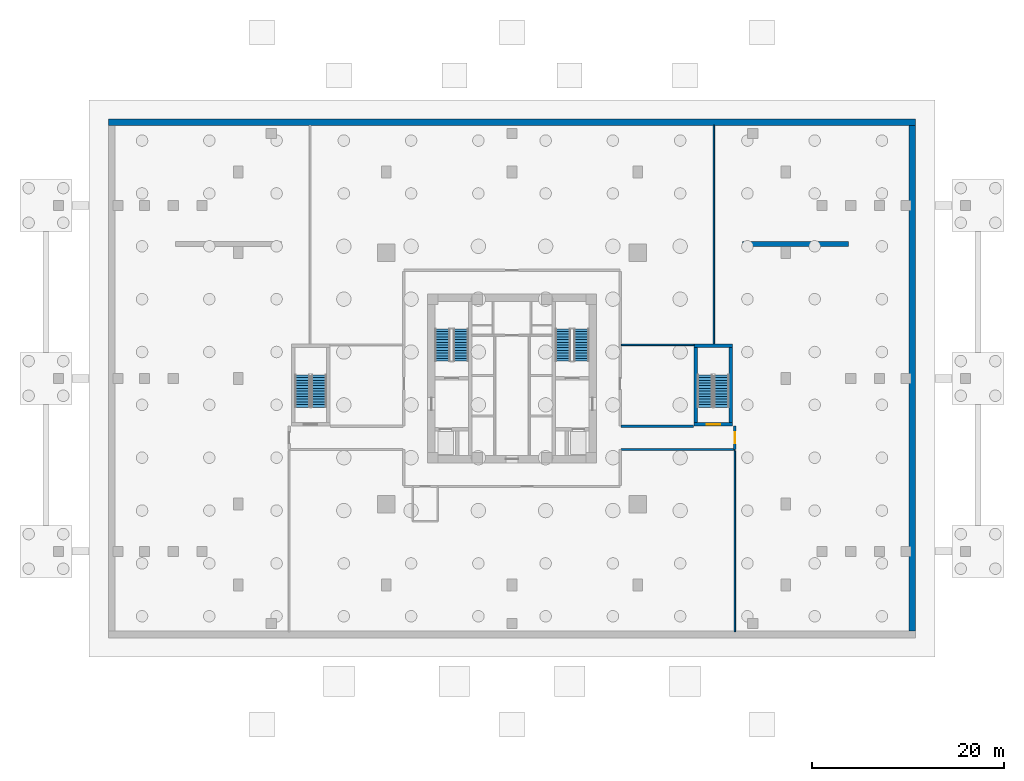
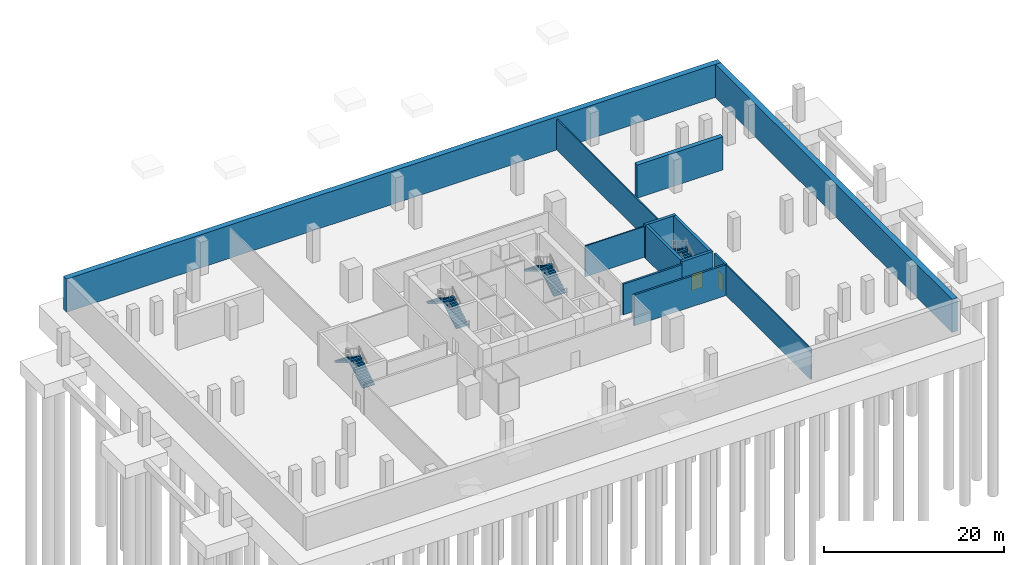
# One storey, part 5 of 8: 13 walls, 8 stair flights, 2 doors, 2 openings, 4 elements without a shape of their own.
"""IFC4 building model written with IfcOpenShell, lengths in metres."""

from ifc_helpers import new_model, si_unit, direction, frame, frame_2d, origin, place, context, subcontext, project, spatial, polyline, rectangle, outline, extrude, source, transform, mapped, material, layer, layer_set, type_object, element, fill, aggregate, save


model = new_model("IFC4")

# Units and contexts
model_context = context("Model", 3, precision=1e-05, world=origin(), true_north=direction((0.0, 1.0)))
body_context = subcontext(model_context, "Body", "Model", "MODEL_VIEW")
ifc_project = project(units=[si_unit("LENGTHUNIT", "METRE"), si_unit("AREAUNIT", "SQUARE_METRE"), si_unit("VOLUMEUNIT", "CUBIC_METRE"), si_unit("PLANEANGLEUNIT", "RADIAN"), si_unit("MASSUNIT", "GRAM", prefix="KILO"), si_unit("THERMODYNAMICTEMPERATUREUNIT", "KELVIN")], contexts=[model_context])

# Site, building, storey
site_placement = place(None, origin())
site = spatial("IfcSite", under=ifc_project, at=site_placement, CompositionType="ELEMENT")
building_placement = place(site_placement, origin())
building = spatial("IfcBuilding", under=site, at=building_placement, Name="Kosmvard Interchange Tower", CompositionType="ELEMENT")
storey_placement = place(building_placement, frame((0.0, 0.0, -9.0)))
storey = spatial("IfcBuildingStorey", under=building, at=storey_placement, Name="B02", CompositionType="ELEMENT", Elevation=-9.0)

# Walls
ifc_material_1 = material(Name="Acoustic gypsum partition system")
ifc_layer_1 = layer(ifc_material_1, 0.14990234375, Name="Acoustic gypsum partition system")
ifc_layer_set_1 = layer_set([ifc_layer_1], Name="Acoustic gypsum partition system")
wall_type_1 = type_object("IfcWallType", Name="Acoustic Suite & Meeting Partition 150", PredefinedType="PARTITIONING", material=ifc_layer_set_1)
wall_1_placement = place(storey_placement, frame((23.199951171875, -26.364990234375, 0.0), z_axis=(0.0, 0.0, 1.0), x_axis=(0.0, 1.0, 0.0)))
element("IfcWall", 1, at=wall_1_placement, inside=storey, type_object=wall_type_1, Name="B02 Room Partition 03.1", PredefinedType="PARTITIONING", context=body_context, shape_type="SweptSolid", body=[
    extrude(rectangle(XDim=18.8349609375, YDim=0.14990234375, at=frame_2d((9.41748046875, 0.0))), origin(), (0.0, 0.0, 1.0), 4.179931640625),
])
wall_2_placement = place(storey_placement, frame((21.0, 3.56005859375, 0.0), z_axis=(0.0, 0.0, 1.0), x_axis=(0.0, 1.0, 0.0)))
element("IfcWall", 2, at=wall_2_placement, inside=storey, type_object=wall_type_1, Name="B02 Room Partition 04.1", PredefinedType="PARTITIONING", context=body_context, shape_type="SweptSolid", body=[
    extrude(rectangle(XDim=22.804931640625, YDim=0.14990234375, at=frame_2d((11.40234375, 0.0))), origin(), (0.0, 0.0, 1.0), 4.179931640625),
])
wall_3_placement = place(storey_placement, frame((11.3798828125, 3.5, 0.0), z_axis=(0.0, 0.0, 1.0), x_axis=(1.0, 0.0, 0.0)))
element("IfcWall", 3, at=wall_3_placement, inside=storey, type_object=wall_type_1, Name="B02 Room Partition 06.1", PredefinedType="PARTITIONING", context=body_context, shape_type="SweptSolid", body=[
    extrude(rectangle(XDim=7.580078125, YDim=0.14990234375, at=frame_2d((3.7900390625, 0.0))), origin(), (0.0, 0.0, 1.0), 4.179931640625),
])
ifc_material_2 = material(Name="Concrete C50/60", Category="concrete")
ifc_layer_2 = layer(ifc_material_2, 0.699951171875, Name="Concrete C50/60")
ifc_layer_set_2 = layer_set([ifc_layer_2], Name="Concrete C50/60")
wall_type_2 = type_object("IfcWallType", Name="Basement Perimeter Retaining Wall 700 C50/60", PredefinedType="USERDEFINED", material=ifc_layer_set_2)
wall_4_placement = place(storey_placement, frame((-42.0, 26.64990234375, 0.0), z_axis=(0.0, 0.0, 1.0), x_axis=(1.0, 0.0, 0.0)))
element("IfcWall", 4, at=wall_4_placement, inside=storey, type_object=wall_type_2, Name="B02 Basement Retaining Wall RW-N", ObjectType="RETAINING", PredefinedType="USERDEFINED", context=body_context, shape_type="SweptSolid", body=[
    extrude(rectangle(XDim=84.0, YDim=0.699951171875, at=frame_2d((42.0, 0.0))), origin(), (0.0, 0.0, 1.0), 4.5),
])
wall_5_placement = place(storey_placement, frame((41.64990234375, -26.300048828125, 0.0), z_axis=(0.0, 0.0, 1.0), x_axis=(0.0, 1.0, 0.0)))
element("IfcWall", 5, at=wall_5_placement, inside=storey, type_object=wall_type_2, Name="B02 Basement Retaining Wall RW-E", ObjectType="RETAINING", PredefinedType="USERDEFINED", context=body_context, shape_type="SweptSolid", body=[
    extrude(rectangle(XDim=52.60009765625, YDim=0.699951171875, at=frame_2d((26.300048828125, 0.0))), origin(), (0.0, 0.0, 1.0), 4.5),
])
ifc_layer_3 = layer(ifc_material_2, 0.550048828125, Name="Concrete C50/60")
ifc_layer_set_3 = layer_set([ifc_layer_3], Name="Concrete C50/60")
wall_type_3 = type_object("IfcWallType", Name="Basement Tank Retaining Wall 550 C50/60", PredefinedType="USERDEFINED", material=ifc_layer_set_3)
wall_6_placement = place(storey_placement, frame((24.0, 14.0, 0.0), z_axis=(0.0, 0.0, 1.0), x_axis=(1.0, 0.0, 0.0)))
element("IfcWall", 6, at=wall_6_placement, inside=storey, type_object=wall_type_3, Name="B02 Water Tank Retaining Wall 2", ObjectType="RETAINING", PredefinedType="USERDEFINED", context=body_context, shape_type="SweptSolid", body=[
    extrude(rectangle(XDim=11.0, YDim=0.550048828125, at=frame_2d((5.5, 0.0))), origin(), (0.0, 0.0, 1.0), 4.5),
])
ifc_material_3 = material(Name="Concrete blockwork masonry", Category="masonry")
ifc_layer_4 = layer(ifc_material_3, 0.25, Name="Concrete blockwork masonry")
ifc_layer_set_4 = layer_set([ifc_layer_4], Name="Concrete blockwork masonry")
wall_type_4 = type_object("IfcWallType", Name="Exit Passage & Firefighting Lobby Wall 250", PredefinedType="PARTITIONING", material=ifc_layer_set_4)
wall_7_placement = place(storey_placement, frame((11.35009765625, -7.39990234375, 0.0), z_axis=(0.0, 0.0, 1.0), x_axis=(1.0, 0.0, 0.0)))
element("IfcWall", 7, at=wall_7_placement, inside=storey, type_object=wall_type_4, Name="B02 Corridor Wall SES", PredefinedType="PARTITIONING", context=body_context, shape_type="SweptSolid", body=[
    extrude(rectangle(XDim=11.849853515625, YDim=0.25, at=frame_2d((5.9248046875, 0.0))), origin(), (0.0, 0.0, 1.0), 4.179931640625),
])
wall_8_placement = place(storey_placement, frame((11.35009765625, -4.9599609375, 0.0), z_axis=(0.0, 0.0, 1.0), x_axis=(1.0, 0.0, 0.0)))
element("IfcWall", 8, at=wall_8_placement, inside=storey, type_object=wall_type_4, Name="B02 Corridor Wall SEN", PredefinedType="PARTITIONING", context=body_context, shape_type="SweptSolid", body=[
    extrude(rectangle(XDim=7.5498046875, YDim=0.25, at=frame_2d((3.77490234375, 0.0))), origin(), (0.0, 0.0, 1.0), 4.179931640625),
])

# Wall, opening, door
wall_9_placement = place(storey_placement, frame((23.199951171875, -7.39990234375, 0.0), z_axis=(0.0, 0.0, 1.0), x_axis=(0.0, 1.0, 0.0)))
wall_9 = element("IfcWall", 9, at=wall_9_placement, inside=storey, type_object=wall_type_4, Name="B02 Corridor Wall SEE", PredefinedType="PARTITIONING", context=body_context, shape_type="SweptSolid", body=[
    extrude(rectangle(XDim=2.43994140625, YDim=0.25, at=frame_2d((1.219970703125, 0.0))), origin(), (0.0, 0.0, 1.0), 4.179931640625),
])
opening_1_placement = place(wall_9_placement, frame((0.64501953125, 0.0, 0.0)))
opening_1 = element("IfcOpeningElement", 10, at=opening_1_placement, cuts=wall_9, Name="Opening B02-D05", PredefinedType="OPENING", context=body_context, shape_type="SweptSolid", body=[
    extrude(rectangle(XDim=1.14990234375, YDim=2.25, at=frame_2d((0.574951171875, 1.125))), frame((0.0, 0.135009765625, 0.0), z_axis=(0.0, -1.0, 0.0), x_axis=(1.0, 0.0, 0.0)), (0.0, 0.0, 1.0), 0.27001953125),
])
ifc_material_4 = material(Name="Painted fire-rated steel leaf", Category="steel")
door_type_1 = type_object("IfcDoorType", Name="Plant & Riser Fire Door 1150x2250 EI60", OperationType="NOTDEFINED", PredefinedType="DOOR", material=ifc_material_4)
shared_shape_1 = source(origin(), body_context, "Body", "SweptSolid", [
    extrude(rectangle(XDim=1.14990234375, YDim=2.25, at=frame_2d((0.574951171875, 1.125))), frame((0.0, 0.02490234375, 0.0), z_axis=(0.0, -1.0, 0.0), x_axis=(1.0, 0.0, 0.0)), (0.0, 0.0, 1.0), 0.050048828125),
])
door_1_placement = place(opening_1_placement, frame((1.14990234375, 0.0, 0.0), z_axis=(0.0, 0.0, 1.0), x_axis=(-1.0, 0.0, 0.0)))
door_1 = element("IfcDoor", 11, at=door_1_placement, inside=storey, type_object=door_type_1, Name="B02 Stormwater and Booster Pump Room Door", OperationType="SINGLE_SWING_LEFT", OverallHeight=2.25, OverallWidth=1.14990234375, PredefinedType="DOOR", context=body_context, shape_type="MappedRepresentation", body=[
    mapped(shared_shape_1, transform((0.0, 0.0, 0.0), scale=1.0)),
])
fill(opening_1, door_1)

ifc_material_5 = material(Name="Concrete C60/75", Category="concrete")
ifc_layer_5 = layer(ifc_material_5, 0.360107421875, Name="Concrete C60/75")
ifc_layer_set_5 = layer_set([ifc_layer_5], Name="Concrete C60/75")
wall_type_5 = type_object("IfcWallType", Name="Stair & Lift Shaft Shear Wall 360 C60/75", PredefinedType="SHEAR", material=ifc_layer_set_5)
wall_10_placement = place(storey_placement, frame((18.9599609375, -4.780029296875, 0.0), z_axis=(0.0, 0.0, 1.0), x_axis=(1.0, 0.0, 0.0)))
wall_10 = element("IfcWall", 12, at=wall_10_placement, inside=storey, type_object=wall_type_5, Name="B02 Podium Stair Shear Wall ST4S", PredefinedType="SHEAR", context=body_context, shape_type="SweptSolid", body=[
    extrude(rectangle(XDim=3.97998046875, YDim=0.360107421875, at=frame_2d((1.989990234375, 0.0))), origin(), (0.0, 0.0, 1.0), 4.5),
])
opening_2_placement = place(wall_10_placement, frame((1.2900390625, 0.0, 0.0)))
opening_2 = element("IfcOpeningElement", 13, at=opening_2_placement, cuts=wall_10, Name="Opening B02-SD4", PredefinedType="OPENING", context=body_context, shape_type="SweptSolid", body=[
    extrude(rectangle(XDim=1.39990234375, YDim=2.199951171875, at=frame_2d((0.699951171875, 1.10009765625))), frame((0.0, 0.18994140625, 0.0), z_axis=(0.0, -1.0, 0.0), x_axis=(1.0, 0.0, 0.0)), (0.0, 0.0, 1.0), 0.380126953125),
])
door_type_2 = type_object("IfcDoorType", Name="Protected Stair Door 1400x2200 FD60S", OperationType="NOTDEFINED", PredefinedType="DOOR", material=ifc_material_4)
shared_shape_2 = source(origin(), body_context, "Body", "SweptSolid", [
    extrude(rectangle(XDim=1.39990234375, YDim=2.199951171875, at=frame_2d((0.699951171875, 1.10009765625))), frame((0.0, 0.02490234375, 0.0), z_axis=(0.0, -1.0, 0.0), x_axis=(1.0, 0.0, 0.0)), (0.0, 0.0, 1.0), 0.050048828125),
])
door_2_placement = place(opening_2_placement, origin())
door_2 = element("IfcDoor", 14, at=door_2_placement, inside=storey, type_object=door_type_2, Name="B02 Podium Stair ST4 Door", OperationType="SINGLE_SWING_RIGHT", OverallHeight=2.199951171875, OverallWidth=1.39990234375, PredefinedType="DOOR", context=body_context, shape_type="MappedRepresentation", body=[
    mapped(shared_shape_2, transform((0.0, 0.0, 0.0), scale=1.0)),
])
fill(opening_2, door_2)

# Walls
wall_11_placement = place(storey_placement, frame((18.9599609375, 3.3798828125, 0.0), z_axis=(0.0, 0.0, 1.0), x_axis=(1.0, 0.0, 0.0)))
element("IfcWall", 15, at=wall_11_placement, inside=storey, type_object=wall_type_5, Name="B02 Podium Stair Shear Wall ST4N", PredefinedType="SHEAR", context=body_context, shape_type="SweptSolid", body=[
    extrude(rectangle(XDim=3.97998046875, YDim=0.360107421875, at=frame_2d((1.989990234375, 0.0))), origin(), (0.0, 0.0, 1.0), 4.5),
])
for number, where, z_axis, x_axis, name in (
    (16, (19.139892578125, -4.60009765625, 0.0), (0.0, 0.0, 1.0), (0.0, 1.0, 0.0), "B02 Podium Stair Shear Wall ST4W"),
    (17, (22.760009765625, -4.60009765625, 0.0), (0.0, 0.0, 1.0), (0.0, 1.0, 0.0), "B02 Podium Stair Shear Wall ST4E"),
):
    element("IfcWall", number, at=place(storey_placement, frame(where, z_axis=z_axis, x_axis=x_axis)), inside=storey, type_object=wall_type_5, Name=name, PredefinedType="SHEAR", context=body_context, shape_type="SweptSolid", body=[
        extrude(rectangle(XDim=7.800048828125, YDim=0.360107421875, at=frame_2d((3.89990234375, 0.0))), origin(), (0.0, 0.0, 1.0), 4.5),
    ])

# Stair, stair flights
stair_type = type_object("IfcStairType", Name="Dog-Leg Core Exit Stair H4500 C50/60", PredefinedType="HALF_TURN_STAIR", material=ifc_material_2)
stair_1_placement = place(storey_placement, origin())
stair_1 = element("IfcStair", 18, at=stair_1_placement, inside=storey, type_object=stair_type, Name="B02 Protected Exit Stair ST-1", PredefinedType="HALF_TURN_STAIR")
stair_flight_type = type_object("IfcStairFlightType", Name="Core Stair Flight W1550 H4500 C50/60", PredefinedType="STRAIGHT", material=ifc_material_2)
shared_shape_3 = source(origin(), body_context, "Body", "SweptSolid", [
    extrude(outline(polyline([(0.0, 0.0), (0.0, 0.173095703125), (0.280029296875, 0.173095703125), (0.280029296875, 0.34619140625), (0.56005859375, 0.34619140625), (0.56005859375, 0.519287109375), (0.840087890625, 0.519287109375), (0.840087890625, 0.6923828125), (1.1201171875, 0.6923828125), (1.1201171875, 0.865478515625), (1.39990234375, 0.865478515625), (1.39990234375, 1.03857421875), (1.679931640625, 1.03857421875), (1.679931640625, 1.21142578125), (1.9599609375, 1.21142578125), (1.9599609375, 1.384521484375), (2.239990234375, 1.384521484375), (2.239990234375, 1.5576171875), (2.52001953125, 1.5576171875), (2.52001953125, 1.730712890625), (2.800048828125, 1.730712890625), (2.800048828125, 1.90380859375), (3.080078125, 1.90380859375), (3.080078125, 2.076904296875), (3.360107421875, 2.076904296875), (3.360107421875, 2.25), (3.360107421875, 1.888916015625), (0.30419921875, 0.0), (0.0, 0.0)])), frame((0.0, 0.77490234375, 0.0), z_axis=(0.0, -1.0, 0.0), x_axis=(1.0, 0.0, 0.0)), (0.0, 0.0, 1.0), 1.550048828125),
])
stair_flight_1_placement = place(storey_placement, frame((-5.31494140625, 1.800048828125, 0.0), z_axis=(0.0, 0.0, 1.0), x_axis=(0.0, 1.0, 0.0)))
stair_flight_1 = element("IfcStairFlight", 19, at=stair_flight_1_placement, type_object=stair_flight_type, Name="ST-1 flight 1", NumberOfRisers=13, NumberOfTreads=12, PredefinedType="STRAIGHT", RiserHeight=0.173076923, TreadLength=0.28, context=body_context, shape_type="MappedRepresentation", body=[
    mapped(shared_shape_3, transform((0.0, 0.0, 0.0), scale=1.0)),
])
stair_flight_2_placement = place(storey_placement, frame((-7.22509765625, 5.159912109375, 2.25), z_axis=(0.0, 0.0, 1.0), x_axis=(0.0, -1.0, 0.0)))
stair_flight_2 = element("IfcStairFlight", 20, at=stair_flight_2_placement, type_object=stair_flight_type, Name="ST-1 flight 2", NumberOfRisers=13, NumberOfTreads=12, PredefinedType="STRAIGHT", RiserHeight=0.173076923, TreadLength=0.28, context=body_context, shape_type="MappedRepresentation", body=[
    mapped(shared_shape_3, transform((0.0, 0.0, 0.0), scale=1.0)),
])
aggregate(stair_1, [stair_flight_1, stair_flight_2])

stair_2_placement = place(storey_placement, origin())
stair_2 = element("IfcStair", 21, at=stair_2_placement, inside=storey, type_object=stair_type, Name="B02 Protected Exit Stair ST-2", PredefinedType="HALF_TURN_STAIR")
stair_flight_3_placement = place(storey_placement, frame((7.22509765625, 1.800048828125, 0.0), z_axis=(0.0, 0.0, 1.0), x_axis=(0.0, 1.0, 0.0)))
stair_flight_3 = element("IfcStairFlight", 22, at=stair_flight_3_placement, type_object=stair_flight_type, Name="ST-2 flight 1", NumberOfRisers=13, NumberOfTreads=12, PredefinedType="STRAIGHT", RiserHeight=0.173076923, TreadLength=0.28, context=body_context, shape_type="MappedRepresentation", body=[
    mapped(shared_shape_3, transform((0.0, 0.0, 0.0), scale=1.0)),
])
stair_flight_4_placement = place(storey_placement, frame((5.31494140625, 5.159912109375, 2.25), z_axis=(0.0, 0.0, 1.0), x_axis=(0.0, -1.0, 0.0)))
stair_flight_4 = element("IfcStairFlight", 23, at=stair_flight_4_placement, type_object=stair_flight_type, Name="ST-2 flight 2", NumberOfRisers=13, NumberOfTreads=12, PredefinedType="STRAIGHT", RiserHeight=0.173076923, TreadLength=0.28, context=body_context, shape_type="MappedRepresentation", body=[
    mapped(shared_shape_3, transform((0.0, 0.0, 0.0), scale=1.0)),
])
aggregate(stair_2, [stair_flight_3, stair_flight_4])

stair_3_placement = place(storey_placement, origin())
stair_3 = element("IfcStair", 24, at=stair_3_placement, inside=storey, type_object=stair_type, Name="B02 Podium Concourse Stair ST-3", PredefinedType="HALF_TURN_STAIR")
stair_flight_5_placement = place(storey_placement, frame((-20.094970703125, -3.0, 0.0), z_axis=(0.0, 0.0, 1.0), x_axis=(0.0, 1.0, 0.0)))
stair_flight_5 = element("IfcStairFlight", 25, at=stair_flight_5_placement, type_object=stair_flight_type, Name="ST-3 flight 1", NumberOfRisers=13, NumberOfTreads=12, PredefinedType="STRAIGHT", RiserHeight=0.173076923, TreadLength=0.28, context=body_context, shape_type="MappedRepresentation", body=[
    mapped(shared_shape_3, transform((0.0, 0.0, 0.0), scale=1.0)),
])
stair_flight_6_placement = place(storey_placement, frame((-21.804931640625, 0.360107421875, 2.25), z_axis=(0.0, 0.0, 1.0), x_axis=(0.0, -1.0, 0.0)))
stair_flight_6 = element("IfcStairFlight", 26, at=stair_flight_6_placement, type_object=stair_flight_type, Name="ST-3 flight 2", NumberOfRisers=13, NumberOfTreads=12, PredefinedType="STRAIGHT", RiserHeight=0.173076923, TreadLength=0.28, context=body_context, shape_type="MappedRepresentation", body=[
    mapped(shared_shape_3, transform((0.0, 0.0, 0.0), scale=1.0)),
])
aggregate(stair_3, [stair_flight_5, stair_flight_6])

stair_4_placement = place(storey_placement, origin())
stair_4 = element("IfcStair", 27, at=stair_4_placement, inside=storey, type_object=stair_type, Name="B02 Podium Concourse Stair ST-4", PredefinedType="HALF_TURN_STAIR")
stair_flight_7_placement = place(storey_placement, frame((21.804931640625, -3.0, 0.0), z_axis=(0.0, 0.0, 1.0), x_axis=(0.0, 1.0, 0.0)))
stair_flight_7 = element("IfcStairFlight", 28, at=stair_flight_7_placement, type_object=stair_flight_type, Name="ST-4 flight 1", NumberOfRisers=13, NumberOfTreads=12, PredefinedType="STRAIGHT", RiserHeight=0.173076923, TreadLength=0.28, context=body_context, shape_type="MappedRepresentation", body=[
    mapped(shared_shape_3, transform((0.0, 0.0, 0.0), scale=1.0)),
])
stair_flight_8_placement = place(storey_placement, frame((20.094970703125, 0.360107421875, 2.25), z_axis=(0.0, 0.0, 1.0), x_axis=(0.0, -1.0, 0.0)))
stair_flight_8 = element("IfcStairFlight", 29, at=stair_flight_8_placement, type_object=stair_flight_type, Name="ST-4 flight 2", NumberOfRisers=13, NumberOfTreads=12, PredefinedType="STRAIGHT", RiserHeight=0.173076923, TreadLength=0.28, context=body_context, shape_type="MappedRepresentation", body=[
    mapped(shared_shape_3, transform((0.0, 0.0, 0.0), scale=1.0)),
])
aggregate(stair_4, [stair_flight_7, stair_flight_8])

save(model, "model.ifc")
